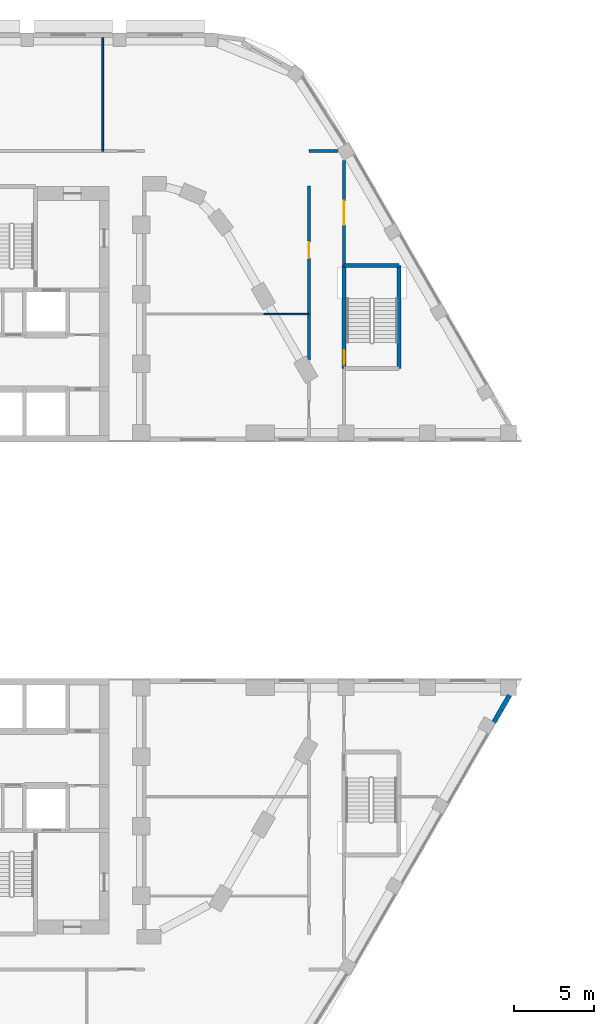
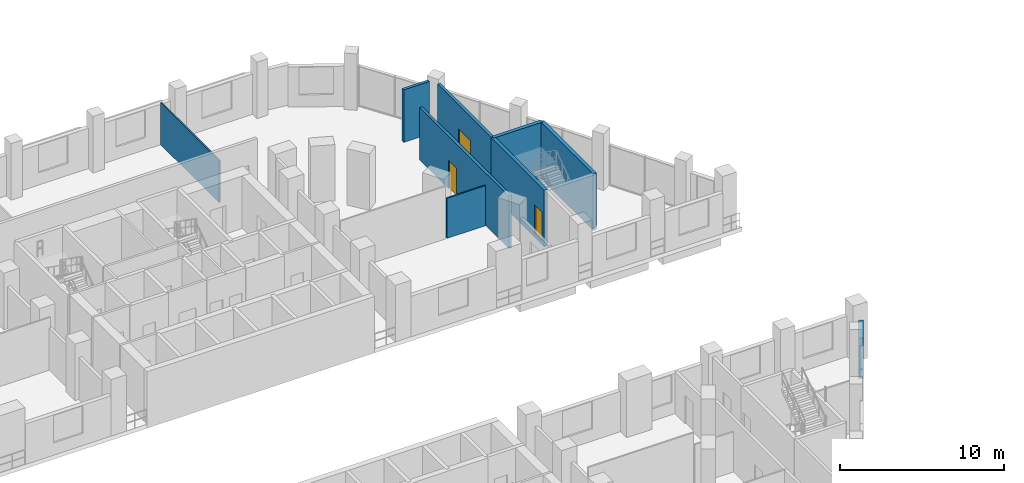
# One storey, part 22 of 33: 9 walls, 3 doors, 3 openings.
"""IFC4 building model written with IfcOpenShell, lengths in metres."""

from ifc_helpers import new_model, si_unit, direction, frame, frame_2d, origin, place, context, subcontext, project, spatial, rectangle, extrude, material, layer, layer_set, type_object, element, fill, save


model = new_model("IFC4")

# Units and contexts
model_context = context("Model", 3, precision=1e-05, world=origin(), true_north=direction((0.0, 1.0)))
body_context = subcontext(model_context, "Body", "Model", "MODEL_VIEW")
ifc_project = project(units=[si_unit("LENGTHUNIT", "METRE"), si_unit("AREAUNIT", "SQUARE_METRE"), si_unit("VOLUMEUNIT", "CUBIC_METRE"), si_unit("PLANEANGLEUNIT", "RADIAN"), si_unit("MASSUNIT", "GRAM", prefix="KILO")], contexts=[model_context])

# Site, building, storey
site_placement = place(None, origin())
site = spatial("IfcSite", under=ifc_project, at=site_placement, CompositionType="ELEMENT")
building_placement = place(site_placement, origin())
building = spatial("IfcBuilding", under=site, at=building_placement, Name="Nakaniwa Court", CompositionType="ELEMENT")
storey_placement = place(building_placement, frame((0.0, 0.0, 19.800048828125)))
storey = spatial("IfcBuildingStorey", under=building, at=storey_placement, Name="L04", CompositionType="ELEMENT", Elevation=19.800048828125)

# Wall, opening, door
ifc_material_1 = material(Name="Acoustic double stud partition")
ifc_layer_1 = layer(ifc_material_1, 0.199951171875)
ifc_layer_set_1 = layer_set([ifc_layer_1], Name="Acoustic double stud partition")
wall_type_1 = type_object("IfcWallType", Name="Acoustic double stud partition 200", PredefinedType="PARTITIONING", material=ifc_layer_set_1)
wall_1_placement = place(storey_placement, frame((102.699951171875, 105.024658203125, 0.0), z_axis=(0.0, 0.0, 1.0), x_axis=(0.0, -1.0, 0.0)))
wall_1 = element("IfcWall", 1, at=wall_1_placement, inside=storey, type_object=wall_type_1, Name="Partition PW-082", PredefinedType="PARTITIONING", context=body_context, shape_type="SweptSolid", body=[
    extrude(rectangle(XDim=6.57763671875, YDim=0.199951171875, at=frame_2d((3.288818359375, 0.0))), origin(), (0.0, 0.0, 1.0), 3.89990234375),
])
opening_1_placement = place(wall_1_placement, frame((2.5390625, 0.0, 0.0)))
opening_1 = element("IfcOpeningElement", 2, at=opening_1_placement, cuts=wall_1, Name="Opening D-12-01", PredefinedType="OPENING", context=body_context, shape_type="SweptSolid", body=[
    extrude(rectangle(XDim=1.5, YDim=2.10009765625, at=frame_2d((0.75, 1.050048828125))), frame((0.0, 0.10986328125, 0.0), z_axis=(0.0, -1.0, 0.0), x_axis=(1.0, 0.0, 0.0)), (0.0, 0.0, 1.0), 0.219970703125),
])
ifc_material_2 = material(Name="Glazed timber double door set", Category="wood")
door_type_1 = type_object("IfcDoorType", Name="Double door 1500", OperationType="NOTDEFINED", PredefinedType="DOOR", material=ifc_material_2)
door_1_placement = place(opening_1_placement, origin())
door_1 = element("IfcDoor", 3, at=door_1_placement, inside=storey, type_object=door_type_1, Name="Door D-12-01 L04-030", OperationType="DOUBLE_DOOR_SINGLE_SWING", OverallHeight=2.10009765625, OverallWidth=1.5, PredefinedType="DOOR", context=body_context, shape_type="SweptSolid", body=[
    extrude(rectangle(XDim=1.5, YDim=2.10009765625, at=frame_2d((0.75, 1.050048828125))), frame((0.0, 0.02490234375, 0.0), z_axis=(0.0, -1.0, 0.0), x_axis=(1.0, 0.0, 0.0)), (0.0, 0.0, 1.0), 0.050048828125),
])
fill(opening_1, door_1)

wall_2_placement = place(storey_placement, frame((100.5, 92.52978515625, 0.0), z_axis=(0.0, 0.0, 1.0), x_axis=(0.0, 1.0, 0.0)))
wall_2 = element("IfcWall", 4, at=wall_2_placement, inside=storey, type_object=wall_type_1, Name="Partition PW-086", PredefinedType="PARTITIONING", context=body_context, shape_type="SweptSolid", body=[
    extrude(rectangle(XDim=10.873291015625, YDim=0.199951171875, at=frame_2d((5.4365234375, 0.0))), origin(), (0.0, 0.0, 1.0), 3.89990234375),
])
opening_2_placement = place(wall_2_placement, frame((6.3701171875, 0.0, 0.0)))
opening_2 = element("IfcOpeningElement", 5, at=opening_2_placement, cuts=wall_2, Name="Opening D-02-03", PredefinedType="OPENING", context=body_context, shape_type="SweptSolid", body=[
    extrude(rectangle(XDim=1.0, YDim=2.10009765625, at=frame_2d((0.5, 1.050048828125))), frame((0.0, 0.10986328125, 0.0), z_axis=(0.0, -1.0, 0.0), x_axis=(1.0, 0.0, 0.0)), (0.0, 0.0, 1.0), 0.219970703125),
])
ifc_material_3 = material(Name="Solid core timber door set, black veneer", Category="wood")
door_type_2 = type_object("IfcDoorType", Name="Internal door 1000", OperationType="NOTDEFINED", PredefinedType="DOOR", material=ifc_material_3)
door_2_placement = place(opening_2_placement, origin())
door_2 = element("IfcDoor", 6, at=door_2_placement, inside=storey, type_object=door_type_2, Name="Door D-02-03 L04-032", OperationType="SINGLE_SWING_LEFT", OverallHeight=2.10009765625, OverallWidth=1.0, PredefinedType="DOOR", context=body_context, shape_type="SweptSolid", body=[
    extrude(rectangle(XDim=1.0, YDim=2.10009765625, at=frame_2d((0.5, 1.050048828125))), frame((0.0, 0.02490234375, 0.0), z_axis=(0.0, -1.0, 0.0), x_axis=(1.0, 0.0, 0.0)), (0.0, 0.0, 1.0), 0.050048828125),
])
fill(opening_2, door_2)

# Walls
wall_3_placement = place(storey_placement, frame((100.5, 105.60009765625, 0.0), z_axis=(0.0, 0.0, 1.0), x_axis=(1.0, 0.0, 0.0)))
element("IfcWall", 7, at=wall_3_placement, inside=storey, type_object=wall_type_1, Name="Partition PW-089", PredefinedType="PARTITIONING", context=body_context, shape_type="SweptSolid", body=[
    extrude(rectangle(XDim=1.823486328125, YDim=0.199951171875, at=frame_2d((0.91162109375, 0.0))), origin(), (0.0, 0.0, 1.0), 3.89990234375),
])
ifc_material_4 = material(Name="Charcoal ceramic cladding")
ifc_layer_2 = layer(ifc_material_4, 0.02, Name="Ceramic cladding")
ifc_material_5 = material(Name="Ventilated air cavity")
ifc_layer_3 = layer(ifc_material_5, 0.04, ventilated=True, Name="Ventilated cavity")
ifc_material_6 = material(Name="Mineral wool insulation")
ifc_layer_4 = layer(ifc_material_6, 0.1, Name="Insulation")
ifc_material_7 = material(Name="Cement bonded sheathing board")
ifc_layer_5 = layer(ifc_material_7, 0.012, Name="Sheathing")
ifc_material_8 = material(Name="Cold-formed galvanised stud frame with mineral wool infill")
ifc_layer_6 = layer(ifc_material_8, 0.1, Name="Stud frame")
ifc_material_9 = material(Name="Fire-rated gypsum plasterboard lining")
ifc_layer_7 = layer(ifc_material_9, 0.028, Name="Lining")
ifc_layer_set_2 = layer_set([ifc_layer_2, ifc_layer_3, ifc_layer_4, ifc_layer_5, ifc_layer_6, ifc_layer_7], Name="Charcoal ceramic faced external wall system")
wall_type_2 = type_object("IfcWallType", Name="Black ceramic faced external wall 300", PredefinedType="SOLIDWALL", material=ifc_layer_set_2)
wall_4_placement = place(storey_placement, frame((112.082275390625, 69.8681640625, 0.0), z_axis=(0.0, 0.0, 1.0), x_axis=(0.500051850797, 0.865995465643, 0.0)))
element("IfcWall", 8, at=wall_4_placement, inside=storey, type_object=wall_type_2, Name="L04 external wall 03", PredefinedType="SOLIDWALL", context=body_context, shape_type="SweptSolid", body=[
    extrude(rectangle(XDim=1.946044921875, YDim=0.300048828125, at=frame_2d((0.97314453125, 0.0))), origin(), (0.0, 0.0, 1.0), 3.0),
])

# Wall, opening, door
ifc_material_10 = material(Name="Concrete C100/115", Category="concrete")
ifc_layer_8 = layer(ifc_material_10, 0.25)
ifc_layer_set_3 = layer_set([ifc_layer_8], Name="Concrete C100/115")
wall_type_3 = type_object("IfcWallType", Name="Concrete core wall 250 C100", PredefinedType="SHEAR", material=ifc_layer_set_3)
wall_5_placement = place(storey_placement, frame((102.699951171875, 91.9970703125, -0.300048828125), z_axis=(0.0, 0.0, 1.0), x_axis=(0.0, 1.0, 0.0)))
wall_5 = element("IfcWall", 9, at=wall_5_placement, inside=storey, type_object=wall_type_3, Name="Core wall SW-78", PredefinedType="SHEAR", context=body_context, shape_type="SweptSolid", body=[
    extrude(rectangle(XDim=6.455810546875, YDim=0.25, at=frame_2d((3.22802734375, 0.0))), origin(), (0.0, 0.0, 1.0), 4.199951171875),
])
opening_3_placement = place(wall_5_placement, frame((0.25, 0.0, 0.300048828125)))
opening_3 = element("IfcOpeningElement", 10, at=opening_3_placement, cuts=wall_5, Name="Opening D-11-03", PredefinedType="OPENING", context=body_context, shape_type="SweptSolid", body=[
    extrude(rectangle(XDim=0.89990234375, YDim=2.10009765625, at=frame_2d((0.449951171875, 1.050048828125))), frame((0.0, 0.135009765625, 0.0), z_axis=(0.0, -1.0, 0.0), x_axis=(1.0, 0.0, 0.0)), (0.0, 0.0, 1.0), 0.27001953125),
])
ifc_material_11 = material(Name="Fire rated steel door set", Category="steel")
door_type_3 = type_object("IfcDoorType", Name="Stair door 900", OperationType="NOTDEFINED", PredefinedType="DOOR", material=ifc_material_11)
door_3_placement = place(opening_3_placement, origin())
door_3 = element("IfcDoor", 11, at=door_3_placement, inside=storey, type_object=door_type_3, Name="Door D-11-03 L04-027", OperationType="SINGLE_SWING_LEFT", OverallHeight=2.10009765625, OverallWidth=0.89990234375, PredefinedType="DOOR", context=body_context, shape_type="SweptSolid", body=[
    extrude(rectangle(XDim=0.89990234375, YDim=2.10009765625, at=frame_2d((0.449951171875, 1.050048828125))), frame((0.0, 0.02490234375, 0.0), z_axis=(0.0, -1.0, 0.0), x_axis=(1.0, 0.0, 0.0)), (0.0, 0.0, 1.0), 0.050048828125),
])
fill(opening_3, door_3)

# Walls
wall_6_placement = place(storey_placement, frame((106.14990234375, 92.0, -0.300048828125), z_axis=(0.0, 0.0, 1.0), x_axis=(0.0, 1.0, 0.0)))
element("IfcWall", 12, at=wall_6_placement, inside=storey, type_object=wall_type_3, Name="Core wall SW-117", PredefinedType="SHEAR", context=body_context, shape_type="SweptSolid", body=[
    extrude(rectangle(XDim=6.449951171875, YDim=0.25, at=frame_2d((3.22509765625, 0.0))), origin(), (0.0, 0.0, 1.0), 4.199951171875),
])
wall_7_placement = place(storey_placement, frame((102.699951171875, 98.449951171875, -0.300048828125), z_axis=(0.0, 0.0, 1.0), x_axis=(1.0, 0.0, 0.0)))
element("IfcWall", 13, at=wall_7_placement, inside=storey, type_object=wall_type_3, Name="Core wall SW-119", PredefinedType="SHEAR", context=body_context, shape_type="SweptSolid", body=[
    extrude(rectangle(XDim=3.449951171875, YDim=0.25, at=frame_2d((1.72509765625, 0.0))), origin(), (0.0, 0.0, 1.0), 4.199951171875),
])
ifc_material_12 = material(Name="Single stud plasterboard partition")
ifc_layer_9 = layer(ifc_material_12, 0.10009765625)
ifc_layer_set_4 = layer_set([ifc_layer_9], Name="Single stud plasterboard partition")
wall_type_4 = type_object("IfcWallType", Name="Single stud plasterboard partition 100", PredefinedType="PARTITIONING", material=ifc_layer_set_4)
wall_8_placement = place(storey_placement, frame((97.680419921875, 95.39990234375, 0.0), z_axis=(0.0, 0.0, 1.0), x_axis=(1.0, 0.0, 0.0)))
element("IfcWall", 14, at=wall_8_placement, inside=storey, type_object=wall_type_4, Name="Partition PW-127", PredefinedType="PARTITIONING", context=body_context, shape_type="SweptSolid", body=[
    extrude(rectangle(XDim=2.819580078125, YDim=0.10009765625, at=frame_2d((1.40966796875, 0.0))), origin(), (0.0, 0.0, 1.0), 2.97998046875),
])
wall_9_placement = place(storey_placement, frame((87.60009765625, 105.60009765625, 0.0), z_axis=(0.0, 0.0, 1.0), x_axis=(0.0, 1.0, 0.0)))
element("IfcWall", 15, at=wall_9_placement, inside=storey, type_object=wall_type_4, Name="Partition PW-129", PredefinedType="PARTITIONING", context=body_context, shape_type="SweptSolid", body=[
    extrude(rectangle(XDim=7.099853515625, YDim=0.10009765625, at=frame_2d((3.5498046875, 0.0))), origin(), (0.0, 0.0, 1.0), 3.1298828125),
])

save(model, "model.ifc")
